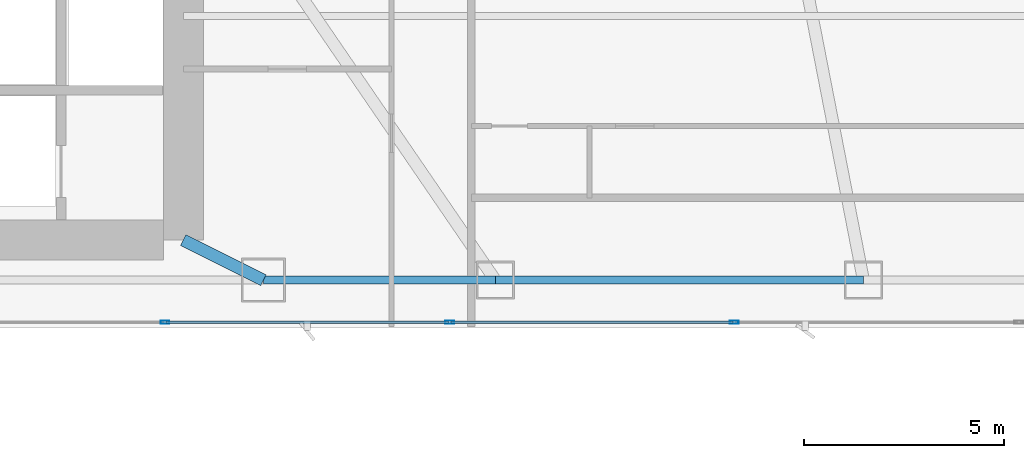
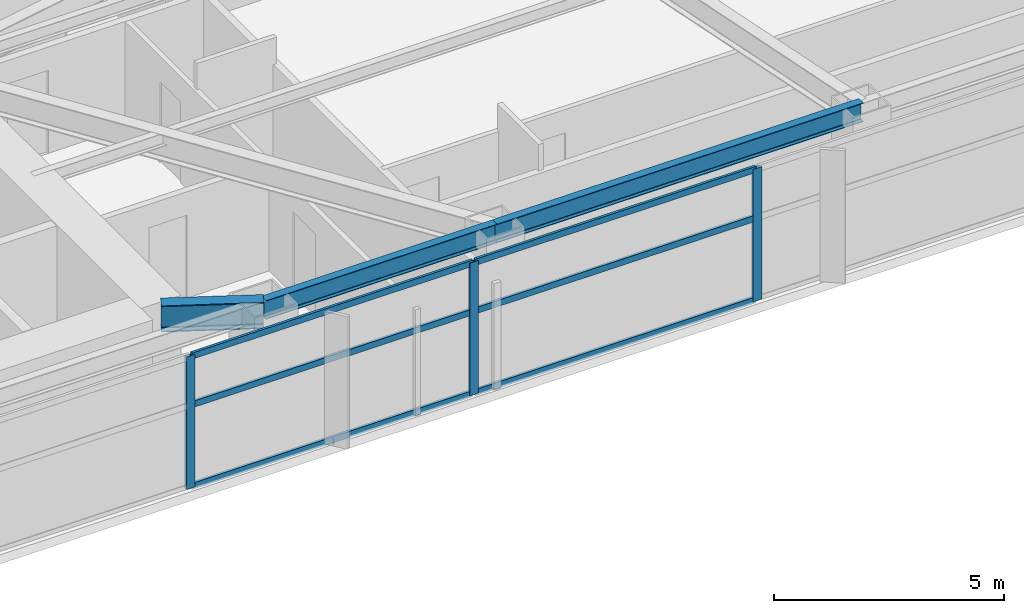
# One storey, part 11 of 28: 9 members, 3 beams, 1 element without a shape of its own.
"""IFC4 building model written with IfcOpenShell, lengths in metres."""

import ifcopenshell
import ifcopenshell.guid

model = None  # the IFC model being written
_history = None  # IfcOwnerHistory: only IFC2X3 demands one
_inside = {}  # id of a spatial element -> (the spatial element, [elements in it])
_under = {}  # id of a project, library or spatial element -> (it, [spatial elements below it])
_declared = {}  # id of a project -> (the project, [libraries it declares])
_typed = {}  # id of a type object -> (the type object, [elements of that type])
_made_of = {}  # id of a material, layer set ... -> (it, [elements and type objects made of it])


def new_model(schema):
    """Start an empty IFC model of exactly this schema.

    Asked for "IFC4X3", IfcOpenShell would pick the latest addendum, in which some entities
    have other attributes; the version numbers below select the first issue.
    IFC2X3 requires an IfcOwnerHistory on every rooted entity: one is made here for all.
    """
    global model, _history
    if schema == "IFC4X3":
        model = ifcopenshell.file(schema_version=(4, 3, 0, 0))
    else:
        model = ifcopenshell.file(schema=schema)
    _inside.clear()
    _under.clear()
    _declared.clear()
    _typed.clear()
    _made_of.clear()
    _history = None
    if model.schema == "IFC2X3":
        org = make("IfcOrganization", Name="unknown")
        user = make(
            "IfcPersonAndOrganization",
            ThePerson=make("IfcPerson", FamilyName="unknown"),
            TheOrganization=org,
        )
        app = make(
            "IfcApplication",
            ApplicationDeveloper=org,
            Version="unknown",
            ApplicationFullName="unknown",
            ApplicationIdentifier="unknown",
        )
        _history = make(
            "IfcOwnerHistory",
            OwningUser=user,
            OwningApplication=app,
            ChangeAction="ADDED",
            CreationDate=0,
        )
    return model


def make(cls, **values):
    """One entity of the class cls with the attributes given. An attribute that is None is left unset."""
    return model.create_entity(
        cls, **{name: value for name, value in values.items() if value is not None}
    )


def rooted(cls, **values):
    """An entity with a GlobalId (a new one), such as an element, a storey or a relation."""
    return make(cls, GlobalId=ifcopenshell.guid.new(), OwnerHistory=_history, **values)


def si_unit(unit_type, name, prefix=None):
    """IfcSIUnit, for example si_unit("LENGTHUNIT", "METRE", prefix="MILLI")."""
    return make("IfcSIUnit", UnitType=unit_type, Prefix=prefix, Name=name)


def assignment(units):
    """IfcUnitAssignment: the units of a project."""
    return None if units is None else make("IfcUnitAssignment", Units=units)


def point(xyz):
    """IfcCartesianPoint."""
    return None if xyz is None else make("IfcCartesianPoint", Coordinates=xyz)


def direction(xyz):
    """IfcDirection."""
    return None if xyz is None else make("IfcDirection", DirectionRatios=xyz)


def frame(location, z_axis=None, x_axis=None):
    """IfcAxis2Placement3D, a coordinate frame: its origin and axes. An axis left out is left unset."""
    return make(
        "IfcAxis2Placement3D",
        Location=point(location),
        Axis=direction(z_axis),
        RefDirection=direction(x_axis),
    )


def frame_2d(location, x_axis=None):
    """IfcAxis2Placement2D, a coordinate frame in the plane: its origin and x axis."""
    return make(
        "IfcAxis2Placement2D", Location=point(location), RefDirection=direction(x_axis)
    )


def origin():
    """The frame at (0, 0, 0) with its axes left unset."""
    return frame((0.0, 0.0, 0.0))


def origin_2d():
    """The frame at (0, 0) in the plane with its x axis left unset."""
    return frame_2d((0.0, 0.0))


def place(relative_to, where):
    """IfcLocalPlacement: puts the frame where relative to a parent placement (None: the world)."""
    return make(
        "IfcLocalPlacement", PlacementRelTo=relative_to, RelativePlacement=where
    )


def context(
    kind, dimensions, precision=None, world=None, true_north=None, identifier=None
):
    """IfcGeometricRepresentationContext, for example the 3D "Model" context."""
    return make(
        "IfcGeometricRepresentationContext",
        ContextIdentifier=identifier,
        ContextType=kind,
        CoordinateSpaceDimension=dimensions,
        Precision=precision,
        WorldCoordinateSystem=world,
        TrueNorth=true_north,
    )


def subcontext(parent, identifier, kind, view, scale=None):
    """IfcGeometricRepresentationSubContext, for example "Body" below "Model"."""
    return make(
        "IfcGeometricRepresentationSubContext",
        ContextIdentifier=identifier,
        ContextType=kind,
        ParentContext=parent,
        TargetScale=scale,
        TargetView=view,
    )


def project(units=None, contexts=None):
    """IfcProject with its units and contexts."""
    return rooted(
        "IfcProject",
        Name="project",
        RepresentationContexts=contexts,
        UnitsInContext=assignment(units),
    )


def spatial(cls, under=None, at=None, **own):
    """A site, building, storey or space (cls), placed at a placement, below another one or the project."""
    s = rooted(cls, ObjectPlacement=at, **own)
    if under is not None:
        _under.setdefault(under.id(), (under, []))[1].append(s)
    return s


def profile(cls, at=None, kind="AREA", **sizes):
    """A parametric profile (cls). Its sizes go by their IFC names, for example OverallWidth=200.0."""
    return make(cls, ProfileType=kind, Position=at, **sizes)


def hollow_rectangle(**sizes):
    """IfcRectangleHollowProfileDef."""
    return profile("IfcRectangleHollowProfileDef", **sizes)


def i_section(**sizes):
    """IfcIShapeProfileDef."""
    return profile("IfcIShapeProfileDef", **sizes)


def extrude(swept, where, along, depth):
    """IfcExtrudedAreaSolid: the profile swept, set in the frame where, extruded along a direction by depth."""
    return make(
        "IfcExtrudedAreaSolid",
        SweptArea=swept,
        Position=where,
        ExtrudedDirection=direction(along),
        Depth=depth,
    )


def shape(context_of_items, identifier, shape_type, items):
    """IfcShapeRepresentation: the items that make up one representation, for example the "Body"."""
    return make(
        "IfcShapeRepresentation",
        ContextOfItems=context_of_items,
        RepresentationIdentifier=identifier,
        RepresentationType=shape_type,
        Items=items,
    )


def material(Name=None, Category=None):
    """IfcMaterial."""
    return make("IfcMaterial", Name=Name, Category=Category)


def layer(
    of_material, thickness, ventilated=None, Name=None, Category=None, Priority=None
):
    """IfcMaterialLayer: one layer of a wall or slab, of a material (None: an air gap)."""
    return make(
        "IfcMaterialLayer",
        Material=of_material,
        LayerThickness=thickness,
        IsVentilated=ventilated,
        Name=Name,
        Category=Category,
        Priority=Priority,
    )


def layer_set(layers, Name=None):
    """IfcMaterialLayerSet."""
    return make("IfcMaterialLayerSet", MaterialLayers=layers, LayerSetName=Name)


def material_profile(
    of_material, cross_section, Name=None, Category=None, Priority=None
):
    """IfcMaterialProfile: a cross section and its material."""
    return make(
        "IfcMaterialProfile",
        Name=Name,
        Material=of_material,
        Profile=cross_section,
        Priority=Priority,
        Category=Category,
    )


def profile_set(profiles, Name=None, composite=None):
    """IfcMaterialProfileSet."""
    return make(
        "IfcMaterialProfileSet",
        Name=Name,
        MaterialProfiles=profiles,
        CompositeProfile=composite,
    )


def made_of(thing, what):
    """Note that an element or type object is made of a material, layer set ...; save() writes the relation."""
    if what is not None:
        _made_of.setdefault(what.id(), (what, []))[1].append(thing)
    return thing


def type_object(cls, material=None, **own):
    """A type object (cls), such as IfcWallType, which elements share."""
    return made_of(rooted(cls, **own), material)


def element(
    cls,
    number,
    at=None,
    inside=None,
    cuts=None,
    type_object=None,
    material=None,
    context=None,
    identifier="Body",
    shape_type=None,
    held_by="IfcProductDefinitionShape",
    body=None,
    shapes=None,
    **own,
):
    """One element of the class cls, such as IfcWall. Its Tag is "e" and its number.

    at: its placement. inside: the storey or other place that contains it. cuts: it is an
    opening in that element (IfcRelVoidsElement). A single representation is given by context,
    identifier, shape_type and body (its items); several are given by shapes. held_by: the class
    of the entity that holds the representations. save() writes the other relations.
    """
    e = rooted(cls, Tag="e%d" % number, ObjectPlacement=at, **own)
    if body is not None:
        shapes = [shape(context, identifier, shape_type, body)]
    if shapes is not None:
        e.Representation = make(held_by, Representations=shapes)
    if inside is not None:
        _inside.setdefault(inside.id(), (inside, []))[1].append(e)
    if cuts is not None:
        rooted(
            "IfcRelVoidsElement", RelatingBuildingElement=cuts, RelatedOpeningElement=e
        )
    if type_object is not None:
        _typed.setdefault(type_object.id(), (type_object, []))[1].append(e)
    return made_of(e, material)


def aggregate(whole, parts):
    """IfcRelAggregates: a whole, such as a stair, and the parts it consists of."""
    return rooted("IfcRelAggregates", RelatingObject=whole, RelatedObjects=parts)


def save(model, path):
    """Write the relations noted so far, then the file.

    IfcRelAggregates (storeys below a building ...), IfcRelContainedInSpatialStructure (elements
    in a storey), IfcRelDefinesByType, IfcRelAssociatesMaterial and IfcRelDeclares: one each for
    every whole, place, type object, material and project.
    """
    for whole, parts in _under.values():
        aggregate(whole, parts)
    for where, things in _inside.values():
        rooted(
            "IfcRelContainedInSpatialStructure",
            RelatedElements=things,
            RelatingStructure=where,
        )
    for kind, things in _typed.values():
        rooted("IfcRelDefinesByType", RelatedObjects=things, RelatingType=kind)
    for what, things in _made_of.values():
        rooted("IfcRelAssociatesMaterial", RelatedObjects=things, RelatingMaterial=what)
    for by, libraries in _declared.values():
        rooted("IfcRelDeclares", RelatingContext=by, RelatedDefinitions=libraries)
    model.write(path)


model = new_model("IFC4")

# Units and contexts
model_context = context("Model", 3, precision=1e-05, world=origin(), true_north=direction((0.0, 1.0)))
body_context = subcontext(model_context, "Body", "Model", "MODEL_VIEW")
ifc_project = project(units=[si_unit("LENGTHUNIT", "METRE"), si_unit("AREAUNIT", "SQUARE_METRE"), si_unit("VOLUMEUNIT", "CUBIC_METRE"), si_unit("PLANEANGLEUNIT", "RADIAN"), si_unit("MASSUNIT", "GRAM", prefix="KILO")], contexts=[model_context])

# Site, building, storey
site_placement = place(None, origin())
site = spatial("IfcSite", under=ifc_project, at=site_placement, CompositionType="ELEMENT")
building_placement = place(site_placement, origin())
building = spatial("IfcBuilding", under=site, at=building_placement, Name="Calvorn Quay Hotel", CompositionType="ELEMENT")
storey_placement = place(building_placement, frame((0.0, 0.0, 42.199951171875)))
storey = spatial("IfcBuildingStorey", under=building, at=storey_placement, Name="L09", CompositionType="ELEMENT", Elevation=42.199951171875)

# Beams
ifc_material_1 = material(Name="Steel Q390GJC", Category="steel")
ifc_material_profile_1 = material_profile(ifc_material_1, i_section(OverallWidth=0.300048828125, OverallDepth=0.699951171875, WebThickness=0.012939453125, FlangeThickness=0.02392578125, FilletRadius=0.02392578125, at=origin_2d()), Name="HN700x300x13x24")
ifc_profile_set_1 = profile_set([ifc_material_profile_1], Name="Steel Q390GJC")
beam_type_1 = type_object("IfcBeamType", Name="BM-GIRD-MAIN", PredefinedType="BEAM", material=ifc_profile_set_1)
beam_1_placement = place(storey_placement, frame((34.39990234375, 3.60009765625, 3.170166015625), z_axis=(-0.894427191, 0.4472135955, 0.0), x_axis=(-0.4472135955, -0.894427191, 0.0)))
element("IfcBeam", 1, at=beam_1_placement, inside=storey, type_object=beam_type_1, Name="Beam BG-L09-S3", PredefinedType="BEAM", context=body_context, shape_type="SweptSolid", body=[
    extrude(i_section(OverallWidth=0.300048828125, OverallDepth=0.699951171875, WebThickness=0.012939453125, FlangeThickness=0.02392578125, FilletRadius=0.02392578125, at=origin_2d()), origin(), (0.0, 0.0, 1.0), 2.236083984375),
])
ifc_material_2 = material(Name="Steel Q355B", Category="steel")
ifc_material_profile_2 = material_profile(ifc_material_2, i_section(OverallWidth=0.199951171875, OverallDepth=0.5, WebThickness=0.010009765625, FlangeThickness=0.01611328125, FilletRadius=0.01611328125, at=origin_2d()), Name="HN500x200x10x16")
ifc_profile_set_2 = profile_set([ifc_material_profile_2], Name="Steel Q355B")
beam_type_2 = type_object("IfcBeamType", Name="BM-SPANDREL-Z1", PredefinedType="SPANDREL", material=ifc_profile_set_2)
beam_2_placement = place(storey_placement, frame((34.39990234375, 3.60009765625, 3.27001953125), z_axis=(1.0, 0.0, 0.0), x_axis=(0.0, 1.0, 0.0)))
element("IfcBeam", 2, at=beam_2_placement, inside=storey, type_object=beam_type_2, Name="Beam BSP-L09-S4", PredefinedType="SPANDREL", context=body_context, shape_type="SweptSolid", body=[
    extrude(i_section(OverallWidth=0.199951171875, OverallDepth=0.5, WebThickness=0.010009765625, FlangeThickness=0.01611328125, FilletRadius=0.01611328125, at=origin_2d()), origin(), (0.0, 0.0, 1.0), 5.800048828125),
])
beam_3_placement = place(storey_placement, frame((40.199951171875, 3.60009765625, 3.27001953125), z_axis=(1.0, 0.0, 0.0), x_axis=(0.0, 1.0, 0.0)))
element("IfcBeam", 3, at=beam_3_placement, inside=storey, type_object=beam_type_2, Name="Beam BSP-L09-S5", PredefinedType="SPANDREL", context=body_context, shape_type="SweptSolid", body=[
    extrude(i_section(OverallWidth=0.199951171875, OverallDepth=0.5, WebThickness=0.010009765625, FlangeThickness=0.01611328125, FilletRadius=0.01611328125, at=origin_2d()), origin(), (0.0, 0.0, 1.0), 9.199951171875),
])

# Curtain wall, members
ifc_material_3 = material(Name="Pale Anodised Aluminium and Low-E Glass", Category="aluminium")
ifc_layer = layer(ifc_material_3, 0.219970703125)
ifc_layer_set = layer_set([ifc_layer], Name="CW-SYS-Z1")
curtain_wall_type = type_object("IfcCurtainWallType", Name="CW-SYS-Z1", PredefinedType="NOTDEFINED", material=ifc_layer_set)
curtain_wall_placement = place(storey_placement, origin())
curtain_wall = element("IfcCurtainWall", 4, at=curtain_wall_placement, inside=storey, type_object=curtain_wall_type, Name="Tower South Waterfront Curtain Wall (L09)", PredefinedType="NOTDEFINED")
ifc_material_4 = material(Name="Pale Anodised Aluminium 6063-T6", Category="aluminium")
ifc_material_profile_3 = material_profile(ifc_material_4, hollow_rectangle(XDim=0.074951171875, YDim=0.219970703125, WallThickness=0.00439453125, at=origin_2d()), Name="ALU-M220x75x4.5")
ifc_profile_set_3 = profile_set([ifc_material_profile_3], Name="Pale Anodised Aluminium 6063-T6")
member_type_1 = type_object("IfcMemberType", Name="CW-SYS-Z1-MUL", PredefinedType="MULLION", material=ifc_profile_set_3)
member_1_placement = place(storey_placement, frame((31.94287109375, 2.550048828125, 0.0), z_axis=(0.0, 0.0, 1.0), x_axis=(0.0, 1.0, 0.0)))
member_1 = element("IfcMember", 5, at=member_1_placement, type_object=member_type_1, Name="CW-L09-S mullion 4", PredefinedType="MULLION", context=body_context, shape_type="SweptSolid", body=[
    extrude(hollow_rectangle(XDim=0.074951171875, YDim=0.219970703125, WallThickness=0.00439453125, at=origin_2d()), origin(), (0.0, 0.0, 1.0), 3.52001953125),
])
member_2_placement = place(storey_placement, frame((39.05712890625, 2.550048828125, 0.0), z_axis=(0.0, 0.0, 1.0), x_axis=(0.0, 1.0, 0.0)))
member_2 = element("IfcMember", 6, at=member_2_placement, type_object=member_type_1, Name="CW-L09-S mullion 5", PredefinedType="MULLION", context=body_context, shape_type="SweptSolid", body=[
    extrude(hollow_rectangle(XDim=0.074951171875, YDim=0.219970703125, WallThickness=0.00439453125, at=origin_2d()), origin(), (0.0, 0.0, 1.0), 3.52001953125),
])
member_3_placement = place(storey_placement, frame((46.17138671875, 2.550048828125, 0.0), z_axis=(0.0, 0.0, 1.0), x_axis=(0.0, 1.0, 0.0)))
member_3 = element("IfcMember", 7, at=member_3_placement, type_object=member_type_1, Name="CW-L09-S mullion 6", PredefinedType="MULLION", context=body_context, shape_type="SweptSolid", body=[
    extrude(hollow_rectangle(XDim=0.074951171875, YDim=0.219970703125, WallThickness=0.00439453125, at=origin_2d()), origin(), (0.0, 0.0, 1.0), 3.52001953125),
])
ifc_material_5 = material(Name="Pale Anodised Aluminium 6063-T6", Category="aluminium")
ifc_material_profile_4 = material_profile(ifc_material_5, hollow_rectangle(XDim=0.06494140625, YDim=0.1650390625, WallThickness=0.00341796875, at=origin_2d()), Name="ALU-T165x65x3.5")
ifc_profile_set_4 = profile_set([ifc_material_profile_4], Name="Pale Anodised Aluminium 6063-T6")
member_type_2 = type_object("IfcMemberType", Name="CW-SYS-Z1-TRN", PredefinedType="USERDEFINED", material=ifc_profile_set_4)
member_4_placement = place(storey_placement, frame((31.972900390625, 2.550048828125, 0.030029296875), z_axis=(1.0, 0.0, 0.0), x_axis=(0.0, 1.0, 0.0)))
member_4 = element("IfcMember", 8, at=member_4_placement, type_object=member_type_2, Name="CW-L09-S transom 4.1", ObjectType="TRANSOM", PredefinedType="USERDEFINED", context=body_context, shape_type="SweptSolid", body=[
    extrude(hollow_rectangle(XDim=0.06494140625, YDim=0.1650390625, WallThickness=0.00341796875, at=origin_2d()), origin(), (0.0, 0.0, 1.0), 7.05419921875),
])
member_5_placement = place(storey_placement, frame((31.972900390625, 2.550048828125, 2.199951171875), z_axis=(1.0, 0.0, 0.0), x_axis=(0.0, 1.0, 0.0)))
member_5 = element("IfcMember", 9, at=member_5_placement, type_object=member_type_2, Name="CW-L09-S transom 4.2", ObjectType="TRANSOM", PredefinedType="USERDEFINED", context=body_context, shape_type="SweptSolid", body=[
    extrude(hollow_rectangle(XDim=0.06494140625, YDim=0.1650390625, WallThickness=0.00341796875, at=origin_2d()), origin(), (0.0, 0.0, 1.0), 7.05419921875),
])
member_6_placement = place(storey_placement, frame((31.972900390625, 2.550048828125, 3.489990234375), z_axis=(1.0, 0.0, 0.0), x_axis=(0.0, 1.0, 0.0)))
member_6 = element("IfcMember", 10, at=member_6_placement, type_object=member_type_2, Name="CW-L09-S transom 4.3", ObjectType="TRANSOM", PredefinedType="USERDEFINED", context=body_context, shape_type="SweptSolid", body=[
    extrude(hollow_rectangle(XDim=0.06494140625, YDim=0.1650390625, WallThickness=0.00341796875, at=origin_2d()), origin(), (0.0, 0.0, 1.0), 7.05419921875),
])
member_7_placement = place(storey_placement, frame((39.087158203125, 2.550048828125, 0.030029296875), z_axis=(1.0, 0.0, 0.0), x_axis=(0.0, 1.0, 0.0)))
member_7 = element("IfcMember", 11, at=member_7_placement, type_object=member_type_2, Name="CW-L09-S transom 5.1", ObjectType="TRANSOM", PredefinedType="USERDEFINED", context=body_context, shape_type="SweptSolid", body=[
    extrude(hollow_rectangle(XDim=0.06494140625, YDim=0.1650390625, WallThickness=0.00341796875, at=origin_2d()), origin(), (0.0, 0.0, 1.0), 7.05419921875),
])
member_8_placement = place(storey_placement, frame((39.087158203125, 2.550048828125, 2.199951171875), z_axis=(1.0, 0.0, 0.0), x_axis=(0.0, 1.0, 0.0)))
member_8 = element("IfcMember", 12, at=member_8_placement, type_object=member_type_2, Name="CW-L09-S transom 5.2", ObjectType="TRANSOM", PredefinedType="USERDEFINED", context=body_context, shape_type="SweptSolid", body=[
    extrude(hollow_rectangle(XDim=0.06494140625, YDim=0.1650390625, WallThickness=0.00341796875, at=origin_2d()), origin(), (0.0, 0.0, 1.0), 7.05419921875),
])
member_9_placement = place(storey_placement, frame((39.087158203125, 2.550048828125, 3.489990234375), z_axis=(1.0, 0.0, 0.0), x_axis=(0.0, 1.0, 0.0)))
member_9 = element("IfcMember", 13, at=member_9_placement, type_object=member_type_2, Name="CW-L09-S transom 5.3", ObjectType="TRANSOM", PredefinedType="USERDEFINED", context=body_context, shape_type="SweptSolid", body=[
    extrude(hollow_rectangle(XDim=0.06494140625, YDim=0.1650390625, WallThickness=0.00341796875, at=origin_2d()), origin(), (0.0, 0.0, 1.0), 7.05419921875),
])
aggregate(curtain_wall, [member_1, member_2, member_3, member_4, member_5, member_6, member_7, member_8, member_9])

save(model, "model.ifc")
